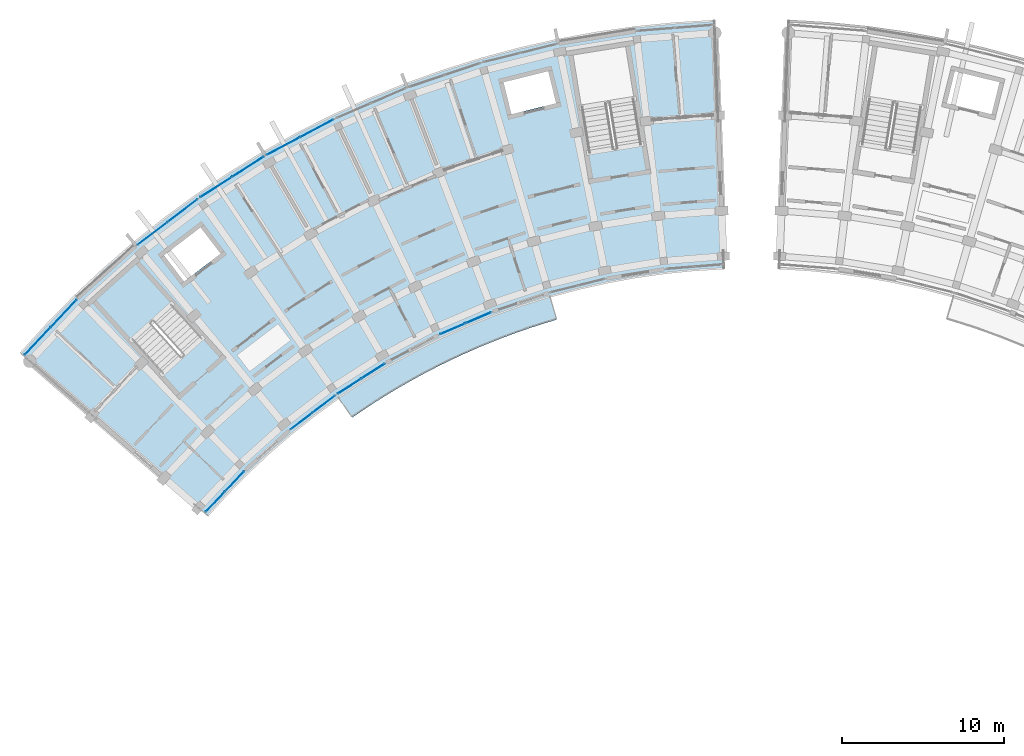
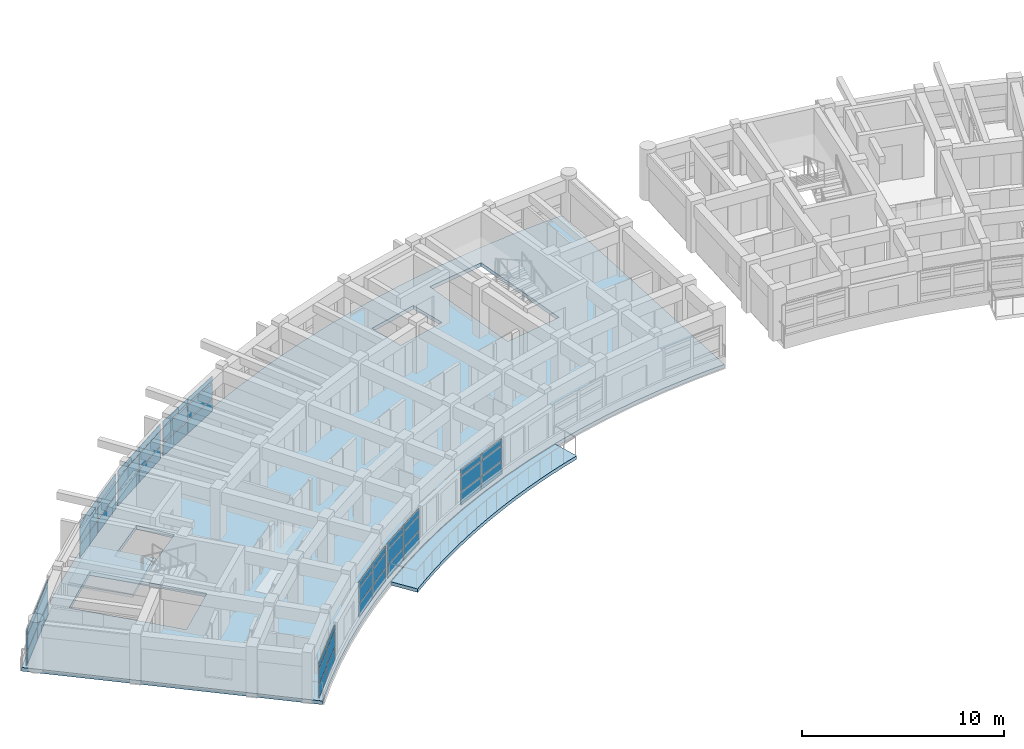
# One storey, part 20 of 56: 48 plates, 3 slabs, 9 elements without a shape of their own.
"""IFC4 building model written with IfcOpenShell, lengths in metres."""

from ifc_helpers import new_model, si_unit, direction, frame, origin, origin_2d, place, context, subcontext, project, spatial, polyline, rectangle, outline, extrude, material, layer, layer_set, type_object, element, aggregate, save


model = new_model("IFC4")

# Units and contexts
model_context = context("Model", 3, precision=1e-05, world=origin(), true_north=direction((0.0, 1.0)))
body_context = subcontext(model_context, "Body", "Model", "MODEL_VIEW")
ifc_project = project(units=[si_unit("LENGTHUNIT", "METRE"), si_unit("AREAUNIT", "SQUARE_METRE"), si_unit("VOLUMEUNIT", "CUBIC_METRE"), si_unit("PLANEANGLEUNIT", "RADIAN"), si_unit("MASSUNIT", "GRAM", prefix="KILO")], contexts=[model_context])

# Site, building, storey
site_placement = place(None, origin())
site = spatial("IfcSite", under=ifc_project, at=site_placement, CompositionType="ELEMENT")
building_placement = place(site_placement, origin())
building = spatial("IfcBuilding", under=site, at=building_placement, Name="Zimvara Arc Housing Community", CompositionType="ELEMENT")
storey_placement = place(building_placement, frame((0.0, 0.0, 11.199951171875)))
storey = spatial("IfcBuildingStorey", under=building, at=storey_placement, Name="L03", CompositionType="ELEMENT", Elevation=11.199951171875)

# Curtain wall, plates
ifc_material_1 = material(Name="Anodised Aluminium AW-6063", Category="aluminium")
curtain_wall_type_1 = type_object("IfcCurtainWallType", Name="CW-SYS-08", PredefinedType="USERDEFINED", material=ifc_material_1)
curtain_wall_1_placement = place(storey_placement, origin())
curtain_wall_1 = element("IfcCurtainWall", 1, at=curtain_wall_1_placement, inside=storey, type_object=curtain_wall_type_1, Name="cw:blkA:L03:in:b0", ObjectType="CURTAIN WALL", PredefinedType="USERDEFINED")
ifc_material_2 = material(Name="Pale-Gold Anodised Aluminium Spandrel Panel", Category="aluminium")
ifc_layer_1 = layer(ifc_material_2, 0.035888671875)
ifc_layer_set_1 = layer_set([ifc_layer_1], Name="Pale-Gold Anodised Aluminium Spandrel Panel")
plate_type_1 = type_object("IfcPlateType", Name="CWP-GLD-36", PredefinedType="CURTAIN_PANEL", material=ifc_layer_set_1)
plate_1_placement = place(storey_placement, frame((11.981689453125, 74.469482421875, 0.065185546875), z_axis=(0.0, 0.0, 1.0), x_axis=(0.686326805658, 0.727293280483, 0.0)))
plate_1 = element("IfcPlate", 2, at=plate_1_placement, type_object=plate_type_1, Name="CW08 panel 1.1", PredefinedType="CURTAIN_PANEL", context=body_context, shape_type="SweptSolid", body=[
    extrude(rectangle(XDim=1.664306640625, YDim=0.035888671875, at=origin_2d()), origin(), (0.0, 0.0, 1.0), 0.75244140625),
])
plate_2_placement = place(storey_placement, frame((11.981689453125, 74.469482421875, 0.88232421875), z_axis=(0.0, 0.0, 1.0), x_axis=(0.686326805658, 0.727293280483, 0.0)))
plate_2 = element("IfcPlate", 3, at=plate_2_placement, type_object=plate_type_1, Name="CW08 panel 1.2", PredefinedType="CURTAIN_PANEL", context=body_context, shape_type="SweptSolid", body=[
    extrude(rectangle(XDim=1.664306640625, YDim=0.035888671875, at=origin_2d()), origin(), (0.0, 0.0, 1.0), 0.885009765625),
])
plate_3_placement = place(storey_placement, frame((11.981689453125, 74.469482421875, 1.83251953125), z_axis=(0.0, 0.0, 1.0), x_axis=(0.686326805658, 0.727293280483, 0.0)))
plate_3 = element("IfcPlate", 4, at=plate_3_placement, type_object=plate_type_1, Name="CW08 panel 1.3", PredefinedType="CURTAIN_PANEL", context=body_context, shape_type="SweptSolid", body=[
    extrude(rectangle(XDim=1.664306640625, YDim=0.035888671875, at=origin_2d()), origin(), (0.0, 0.0, 1.0), 0.3525390625),
])
plate_4_placement = place(storey_placement, frame((13.168701171875, 75.727294921875, 0.065185546875), z_axis=(0.0, 0.0, 1.0), x_axis=(0.686326805658, 0.727293280483, 0.0)))
plate_4 = element("IfcPlate", 5, at=plate_4_placement, type_object=plate_type_1, Name="CW08 panel 2.1", PredefinedType="CURTAIN_PANEL", context=body_context, shape_type="SweptSolid", body=[
    extrude(rectangle(XDim=1.664306640625, YDim=0.035888671875, at=origin_2d()), origin(), (0.0, 0.0, 1.0), 0.75244140625),
])
plate_5_placement = place(storey_placement, frame((13.168701171875, 75.727294921875, 0.88232421875), z_axis=(0.0, 0.0, 1.0), x_axis=(0.686326805658, 0.727293280483, 0.0)))
plate_5 = element("IfcPlate", 6, at=plate_5_placement, type_object=plate_type_1, Name="CW08 panel 2.2", PredefinedType="CURTAIN_PANEL", context=body_context, shape_type="SweptSolid", body=[
    extrude(rectangle(XDim=1.664306640625, YDim=0.035888671875, at=origin_2d()), origin(), (0.0, 0.0, 1.0), 0.885009765625),
])
plate_6_placement = place(storey_placement, frame((13.168701171875, 75.727294921875, 1.83251953125), z_axis=(0.0, 0.0, 1.0), x_axis=(0.686326805658, 0.727293280483, 0.0)))
plate_6 = element("IfcPlate", 7, at=plate_6_placement, type_object=plate_type_1, Name="CW08 panel 2.3", PredefinedType="CURTAIN_PANEL", context=body_context, shape_type="SweptSolid", body=[
    extrude(rectangle(XDim=1.664306640625, YDim=0.035888671875, at=origin_2d()), origin(), (0.0, 0.0, 1.0), 0.3525390625),
])
aggregate(curtain_wall_1, [plate_1, plate_2, plate_3, plate_4, plate_5, plate_6])

ifc_material_3 = material(Name="Anodised Aluminium AW-6063", Category="aluminium")
curtain_wall_type_2 = type_object("IfcCurtainWallType", Name="CW-SYS-04", PredefinedType="USERDEFINED", material=ifc_material_3)
curtain_wall_2_placement = place(storey_placement, origin())
curtain_wall_2 = element("IfcCurtainWall", 8, at=curtain_wall_2_placement, inside=storey, type_object=curtain_wall_type_2, Name="cw:blkA:L03:in:b3", ObjectType="CURTAIN WALL", PredefinedType="USERDEFINED")
plate_7_placement = place(storey_placement, frame((20.23876953125, 81.58447265625, 0.065185546875), z_axis=(0.0, 0.0, 1.0), x_axis=(0.842264751752, 0.539064085203, 0.0)))
plate_7 = element("IfcPlate", 9, at=plate_7_placement, type_object=plate_type_1, Name="CW04 panel 1.1", PredefinedType="CURTAIN_PANEL", context=body_context, shape_type="SweptSolid", body=[
    extrude(rectangle(XDim=1.664306640625, YDim=0.035888671875, at=origin_2d()), origin(), (0.0, 0.0, 1.0), 0.75244140625),
])
plate_8_placement = place(storey_placement, frame((20.23876953125, 81.58447265625, 0.88232421875), z_axis=(0.0, 0.0, 1.0), x_axis=(0.842264751752, 0.539064085203, 0.0)))
plate_8 = element("IfcPlate", 10, at=plate_8_placement, type_object=plate_type_1, Name="CW04 panel 1.2", PredefinedType="CURTAIN_PANEL", context=body_context, shape_type="SweptSolid", body=[
    extrude(rectangle(XDim=1.664306640625, YDim=0.035888671875, at=origin_2d()), origin(), (0.0, 0.0, 1.0), 0.885009765625),
])
plate_9_placement = place(storey_placement, frame((20.23876953125, 81.58447265625, 1.83251953125), z_axis=(0.0, 0.0, 1.0), x_axis=(0.842264751752, 0.539064085203, 0.0)))
plate_9 = element("IfcPlate", 11, at=plate_9_placement, type_object=plate_type_1, Name="CW04 panel 1.3", PredefinedType="CURTAIN_PANEL", context=body_context, shape_type="SweptSolid", body=[
    extrude(rectangle(XDim=1.664306640625, YDim=0.035888671875, at=origin_2d()), origin(), (0.0, 0.0, 1.0), 0.3525390625),
])
plate_10_placement = place(storey_placement, frame((21.6953125, 82.5166015625, 0.065185546875), z_axis=(0.0, 0.0, 1.0), x_axis=(0.842264751752, 0.539064085203, 0.0)))
plate_10 = element("IfcPlate", 12, at=plate_10_placement, type_object=plate_type_1, Name="CW04 panel 2.1", PredefinedType="CURTAIN_PANEL", context=body_context, shape_type="SweptSolid", body=[
    extrude(rectangle(XDim=1.664306640625, YDim=0.035888671875, at=origin_2d()), origin(), (0.0, 0.0, 1.0), 0.75244140625),
])
plate_11_placement = place(storey_placement, frame((21.6953125, 82.5166015625, 0.88232421875), z_axis=(0.0, 0.0, 1.0), x_axis=(0.842264751752, 0.539064085203, 0.0)))
plate_11 = element("IfcPlate", 13, at=plate_11_placement, type_object=plate_type_1, Name="CW04 panel 2.2", PredefinedType="CURTAIN_PANEL", context=body_context, shape_type="SweptSolid", body=[
    extrude(rectangle(XDim=1.664306640625, YDim=0.035888671875, at=origin_2d()), origin(), (0.0, 0.0, 1.0), 0.885009765625),
])
plate_12_placement = place(storey_placement, frame((21.6953125, 82.5166015625, 1.83251953125), z_axis=(0.0, 0.0, 1.0), x_axis=(0.842264751752, 0.539064085203, 0.0)))
plate_12 = element("IfcPlate", 14, at=plate_12_placement, type_object=plate_type_1, Name="CW04 panel 2.3", PredefinedType="CURTAIN_PANEL", context=body_context, shape_type="SweptSolid", body=[
    extrude(rectangle(XDim=1.664306640625, YDim=0.035888671875, at=origin_2d()), origin(), (0.0, 0.0, 1.0), 0.3525390625),
])
aggregate(curtain_wall_2, [plate_7, plate_8, plate_9, plate_10, plate_11, plate_12])

ifc_material_4 = material(Name="Anodised Aluminium AW-6063", Category="aluminium")
curtain_wall_type_3 = type_object("IfcCurtainWallType", Name="CW-SYS-01", PredefinedType="USERDEFINED", material=ifc_material_4)
curtain_wall_3_placement = place(storey_placement, origin())
curtain_wall_3 = element("IfcCurtainWall", 15, at=curtain_wall_3_placement, inside=storey, type_object=curtain_wall_type_3, Name="cw:blkA:L03:out:b2", ObjectType="CURTAIN WALL", PredefinedType="USERDEFINED")
ifc_material_5 = material(Name="Solar Control Low-E Double Glazing", Category="glass")
ifc_layer_2 = layer(ifc_material_5, 0.02392578125)
ifc_layer_set_2 = layer_set([ifc_layer_2], Name="Solar Control Low-E Double Glazing")
plate_type_2 = type_object("IfcPlateType", Name="CWP-GLZ-24", PredefinedType="CURTAIN_PANEL", material=ifc_layer_set_2)
plate_13_placement = place(storey_placement, frame((8.118896484375, 90.9892578125, 0.065185546875), z_axis=(0.0, 0.0, 1.0), x_axis=(0.795473999177, 0.60598771987, 0.0)))
plate_13 = element("IfcPlate", 16, at=plate_13_placement, type_object=plate_type_2, Name="CW01 panel 1.1", PredefinedType="CURTAIN_PANEL", context=body_context, shape_type="SweptSolid", body=[
    extrude(rectangle(XDim=2.266845703125, YDim=0.02392578125, at=origin_2d()), origin(), (0.0, 0.0, 1.0), 0.75244140625),
])
plate_14_placement = place(storey_placement, frame((8.118896484375, 90.9892578125, 0.88232421875), z_axis=(0.0, 0.0, 1.0), x_axis=(0.795473999177, 0.60598771987, 0.0)))
plate_14 = element("IfcPlate", 17, at=plate_14_placement, type_object=plate_type_2, Name="CW01 panel 1.2", PredefinedType="CURTAIN_PANEL", context=body_context, shape_type="SweptSolid", body=[
    extrude(rectangle(XDim=2.266845703125, YDim=0.02392578125, at=origin_2d()), origin(), (0.0, 0.0, 1.0), 0.885009765625),
])
plate_15_placement = place(storey_placement, frame((8.118896484375, 90.9892578125, 1.83251953125), z_axis=(0.0, 0.0, 1.0), x_axis=(0.795473999177, 0.60598771987, 0.0)))
plate_15 = element("IfcPlate", 18, at=plate_15_placement, type_object=plate_type_2, Name="CW01 panel 1.3", PredefinedType="CURTAIN_PANEL", context=body_context, shape_type="SweptSolid", body=[
    extrude(rectangle(XDim=2.266845703125, YDim=0.02392578125, at=origin_2d()), origin(), (0.0, 0.0, 1.0), 0.3525390625),
])
plate_16_placement = place(storey_placement, frame((9.973876953125, 92.40234375, 0.065185546875), z_axis=(0.0, 0.0, 1.0), x_axis=(0.795473999177, 0.60598771987, 0.0)))
plate_16 = element("IfcPlate", 19, at=plate_16_placement, type_object=plate_type_2, Name="CW01 panel 2.1", PredefinedType="CURTAIN_PANEL", context=body_context, shape_type="SweptSolid", body=[
    extrude(rectangle(XDim=2.266845703125, YDim=0.02392578125, at=origin_2d()), origin(), (0.0, 0.0, 1.0), 0.75244140625),
])
plate_17_placement = place(storey_placement, frame((9.973876953125, 92.40234375, 0.88232421875), z_axis=(0.0, 0.0, 1.0), x_axis=(0.795473999177, 0.60598771987, 0.0)))
plate_17 = element("IfcPlate", 20, at=plate_17_placement, type_object=plate_type_2, Name="CW01 panel 2.2", PredefinedType="CURTAIN_PANEL", context=body_context, shape_type="SweptSolid", body=[
    extrude(rectangle(XDim=2.266845703125, YDim=0.02392578125, at=origin_2d()), origin(), (0.0, 0.0, 1.0), 0.885009765625),
])
plate_18_placement = place(storey_placement, frame((9.973876953125, 92.40234375, 1.83251953125), z_axis=(0.0, 0.0, 1.0), x_axis=(0.795473999177, 0.60598771987, 0.0)))
plate_18 = element("IfcPlate", 21, at=plate_18_placement, type_object=plate_type_2, Name="CW01 panel 2.3", PredefinedType="CURTAIN_PANEL", context=body_context, shape_type="SweptSolid", body=[
    extrude(rectangle(XDim=2.266845703125, YDim=0.02392578125, at=origin_2d()), origin(), (0.0, 0.0, 1.0), 0.3525390625),
])
aggregate(curtain_wall_3, [plate_13, plate_14, plate_15, plate_16, plate_17, plate_18])

ifc_material_6 = material(Name="Anodised Aluminium AW-6063", Category="aluminium")
curtain_wall_type_4 = type_object("IfcCurtainWallType", Name="CW-SYS-05", PredefinedType="USERDEFINED", material=ifc_material_6)
curtain_wall_4_placement = place(storey_placement, origin())
curtain_wall_4 = element("IfcCurtainWall", 22, at=curtain_wall_4_placement, inside=storey, type_object=curtain_wall_type_4, Name="cw:blkA:L03:out:b4", ObjectType="CURTAIN WALL", PredefinedType="USERDEFINED")
plate_19_placement = place(storey_placement, frame((16.1708984375, 96.36865234375, 0.065185546875), z_axis=(0.0, 0.0, 1.0), x_axis=(0.883438614651, 0.468546917761, 0.0)))
plate_19 = element("IfcPlate", 23, at=plate_19_placement, type_object=plate_type_2, Name="CW05 panel 1.1", PredefinedType="CURTAIN_PANEL", context=body_context, shape_type="SweptSolid", body=[
    extrude(rectangle(XDim=2.266845703125, YDim=0.02392578125, at=origin_2d()), origin(), (0.0, 0.0, 1.0), 0.75244140625),
])
plate_20_placement = place(storey_placement, frame((16.1708984375, 96.36865234375, 0.88232421875), z_axis=(0.0, 0.0, 1.0), x_axis=(0.883438614651, 0.468546917761, 0.0)))
plate_20 = element("IfcPlate", 24, at=plate_20_placement, type_object=plate_type_2, Name="CW05 panel 1.2", PredefinedType="CURTAIN_PANEL", context=body_context, shape_type="SweptSolid", body=[
    extrude(rectangle(XDim=2.266845703125, YDim=0.02392578125, at=origin_2d()), origin(), (0.0, 0.0, 1.0), 0.885009765625),
])
plate_21_placement = place(storey_placement, frame((16.1708984375, 96.36865234375, 1.83251953125), z_axis=(0.0, 0.0, 1.0), x_axis=(0.883438614651, 0.468546917761, 0.0)))
plate_21 = element("IfcPlate", 25, at=plate_21_placement, type_object=plate_type_2, Name="CW05 panel 1.3", PredefinedType="CURTAIN_PANEL", context=body_context, shape_type="SweptSolid", body=[
    extrude(rectangle(XDim=2.266845703125, YDim=0.02392578125, at=origin_2d()), origin(), (0.0, 0.0, 1.0), 0.3525390625),
])
plate_22_placement = place(storey_placement, frame((18.23095703125, 97.461181640625, 0.065185546875), z_axis=(0.0, 0.0, 1.0), x_axis=(0.883438614651, 0.468546917761, 0.0)))
plate_22 = element("IfcPlate", 26, at=plate_22_placement, type_object=plate_type_2, Name="CW05 panel 2.1", PredefinedType="CURTAIN_PANEL", context=body_context, shape_type="SweptSolid", body=[
    extrude(rectangle(XDim=2.266845703125, YDim=0.02392578125, at=origin_2d()), origin(), (0.0, 0.0, 1.0), 0.75244140625),
])
plate_23_placement = place(storey_placement, frame((18.23095703125, 97.461181640625, 0.88232421875), z_axis=(0.0, 0.0, 1.0), x_axis=(0.883438614651, 0.468546917761, 0.0)))
plate_23 = element("IfcPlate", 27, at=plate_23_placement, type_object=plate_type_2, Name="CW05 panel 2.2", PredefinedType="CURTAIN_PANEL", context=body_context, shape_type="SweptSolid", body=[
    extrude(rectangle(XDim=2.266845703125, YDim=0.02392578125, at=origin_2d()), origin(), (0.0, 0.0, 1.0), 0.885009765625),
])
plate_24_placement = place(storey_placement, frame((18.23095703125, 97.461181640625, 1.83251953125), z_axis=(0.0, 0.0, 1.0), x_axis=(0.883438614651, 0.468546917761, 0.0)))
plate_24 = element("IfcPlate", 28, at=plate_24_placement, type_object=plate_type_2, Name="CW05 panel 2.3", PredefinedType="CURTAIN_PANEL", context=body_context, shape_type="SweptSolid", body=[
    extrude(rectangle(XDim=2.266845703125, YDim=0.02392578125, at=origin_2d()), origin(), (0.0, 0.0, 1.0), 0.3525390625),
])
aggregate(curtain_wall_4, [plate_19, plate_20, plate_21, plate_22, plate_23, plate_24])

ifc_material_7 = material(Name="Anodised Aluminium AW-6063", Category="aluminium")
curtain_wall_type_5 = type_object("IfcCurtainWallType", Name="CW-SYS-02", PredefinedType="USERDEFINED", material=ifc_material_7)
curtain_wall_5_placement = place(storey_placement, origin())
curtain_wall_5 = element("IfcCurtainWall", 29, at=curtain_wall_5_placement, inside=storey, type_object=curtain_wall_type_5, Name="cw:blkA:L03:in:b2", ObjectType="CURTAIN WALL", PredefinedType="USERDEFINED")
ifc_material_8 = material(Name="Solar Control Low-E Double Glazing", Category="glass")
ifc_layer_3 = layer(ifc_material_8, 0.028076171875)
ifc_layer_set_3 = layer_set([ifc_layer_3], Name="Solar Control Low-E Double Glazing")
plate_type_3 = type_object("IfcPlateType", Name="CWP-GLZ-28", PredefinedType="CURTAIN_PANEL", material=ifc_layer_set_3)
plate_25_placement = place(storey_placement, frame((17.295654296875, 79.4404296875, 0.065185546875), z_axis=(0.0, 0.0, 1.0), x_axis=(0.795473543119, 0.605988318533, 0.0)))
plate_25 = element("IfcPlate", 30, at=plate_25_placement, type_object=plate_type_3, Name="CW02 panel 1.1", PredefinedType="CURTAIN_PANEL", context=body_context, shape_type="SweptSolid", body=[
    extrude(rectangle(XDim=1.664306640625, YDim=0.028076171875, at=origin_2d()), origin(), (0.0, 0.0, 1.0), 0.75244140625),
])
plate_26_placement = place(storey_placement, frame((17.295654296875, 79.4404296875, 0.88232421875), z_axis=(0.0, 0.0, 1.0), x_axis=(0.795473543119, 0.605988318533, 0.0)))
plate_26 = element("IfcPlate", 31, at=plate_26_placement, type_object=plate_type_3, Name="CW02 panel 1.2", PredefinedType="CURTAIN_PANEL", context=body_context, shape_type="SweptSolid", body=[
    extrude(rectangle(XDim=1.664306640625, YDim=0.028076171875, at=origin_2d()), origin(), (0.0, 0.0, 1.0), 0.885009765625),
])
plate_27_placement = place(storey_placement, frame((17.295654296875, 79.4404296875, 1.83251953125), z_axis=(0.0, 0.0, 1.0), x_axis=(0.795473543119, 0.605988318533, 0.0)))
plate_27 = element("IfcPlate", 32, at=plate_27_placement, type_object=plate_type_3, Name="CW02 panel 1.3", PredefinedType="CURTAIN_PANEL", context=body_context, shape_type="SweptSolid", body=[
    extrude(rectangle(XDim=1.664306640625, YDim=0.028076171875, at=origin_2d()), origin(), (0.0, 0.0, 1.0), 0.3525390625),
])
plate_28_placement = place(storey_placement, frame((18.671142578125, 80.48828125, 0.065185546875), z_axis=(0.0, 0.0, 1.0), x_axis=(0.795473543119, 0.605988318533, 0.0)))
plate_28 = element("IfcPlate", 33, at=plate_28_placement, type_object=plate_type_3, Name="CW02 panel 2.1", PredefinedType="CURTAIN_PANEL", context=body_context, shape_type="SweptSolid", body=[
    extrude(rectangle(XDim=1.664306640625, YDim=0.028076171875, at=origin_2d()), origin(), (0.0, 0.0, 1.0), 0.75244140625),
])
plate_29_placement = place(storey_placement, frame((18.671142578125, 80.48828125, 0.88232421875), z_axis=(0.0, 0.0, 1.0), x_axis=(0.795473543119, 0.605988318533, 0.0)))
plate_29 = element("IfcPlate", 34, at=plate_29_placement, type_object=plate_type_3, Name="CW02 panel 2.2", PredefinedType="CURTAIN_PANEL", context=body_context, shape_type="SweptSolid", body=[
    extrude(rectangle(XDim=1.664306640625, YDim=0.028076171875, at=origin_2d()), origin(), (0.0, 0.0, 1.0), 0.885009765625),
])
plate_30_placement = place(storey_placement, frame((18.671142578125, 80.48828125, 1.83251953125), z_axis=(0.0, 0.0, 1.0), x_axis=(0.795473543119, 0.605988318533, 0.0)))
plate_30 = element("IfcPlate", 35, at=plate_30_placement, type_object=plate_type_3, Name="CW02 panel 2.3", PredefinedType="CURTAIN_PANEL", context=body_context, shape_type="SweptSolid", body=[
    extrude(rectangle(XDim=1.664306640625, YDim=0.028076171875, at=origin_2d()), origin(), (0.0, 0.0, 1.0), 0.3525390625),
])
aggregate(curtain_wall_5, [plate_25, plate_26, plate_27, plate_28, plate_29, plate_30])

ifc_material_9 = material(Name="Anodised Aluminium AW-6063", Category="aluminium")
curtain_wall_type_6 = type_object("IfcCurtainWallType", Name="CW-SYS-07", PredefinedType="USERDEFINED", material=ifc_material_9)
curtain_wall_6_placement = place(storey_placement, origin())
curtain_wall_6 = element("IfcCurtainWall", 36, at=curtain_wall_6_placement, inside=storey, type_object=curtain_wall_type_6, Name="cw:blkA:L03:out:b0", ObjectType="CURTAIN WALL", PredefinedType="USERDEFINED")
ifc_material_10 = material(Name="Acoustic Laminated Solar Glazing", Category="glass")
ifc_layer_4 = layer(ifc_material_10, 0.031982421875)
ifc_layer_set_4 = layer_set([ifc_layer_4], Name="Acoustic Laminated Solar Glazing")
plate_type_4 = type_object("IfcPlateType", Name="CWP-GLZ-32", PredefinedType="CURTAIN_PANEL", material=ifc_layer_set_4)
plate_31_placement = place(storey_placement, frame((1.049072265625, 84.3720703125, 0.065185546875), z_axis=(0.0, 0.0, 1.0), x_axis=(0.686326416495, 0.727293647725, 0.0)))
plate_31 = element("IfcPlate", 37, at=plate_31_placement, type_object=plate_type_4, Name="CW07 panel 1.1", PredefinedType="CURTAIN_PANEL", context=body_context, shape_type="SweptSolid", body=[
    extrude(rectangle(XDim=2.266845703125, YDim=0.031982421875, at=origin_2d()), origin(), (0.0, 0.0, 1.0), 0.75244140625),
])
plate_32_placement = place(storey_placement, frame((1.049072265625, 84.3720703125, 0.88232421875), z_axis=(0.0, 0.0, 1.0), x_axis=(0.686326416495, 0.727293647725, 0.0)))
plate_32 = element("IfcPlate", 38, at=plate_32_placement, type_object=plate_type_4, Name="CW07 panel 1.2", PredefinedType="CURTAIN_PANEL", context=body_context, shape_type="SweptSolid", body=[
    extrude(rectangle(XDim=2.266845703125, YDim=0.031982421875, at=origin_2d()), origin(), (0.0, 0.0, 1.0), 0.885009765625),
])
plate_33_placement = place(storey_placement, frame((1.049072265625, 84.3720703125, 1.83251953125), z_axis=(0.0, 0.0, 1.0), x_axis=(0.686326416495, 0.727293647725, 0.0)))
plate_33 = element("IfcPlate", 39, at=plate_33_placement, type_object=plate_type_4, Name="CW07 panel 1.3", PredefinedType="CURTAIN_PANEL", context=body_context, shape_type="SweptSolid", body=[
    extrude(rectangle(XDim=2.266845703125, YDim=0.031982421875, at=origin_2d()), origin(), (0.0, 0.0, 1.0), 0.3525390625),
])
plate_34_placement = place(storey_placement, frame((2.649658203125, 86.068115234375, 0.065185546875), z_axis=(0.0, 0.0, 1.0), x_axis=(0.686326416495, 0.727293647725, 0.0)))
plate_34 = element("IfcPlate", 40, at=plate_34_placement, type_object=plate_type_4, Name="CW07 panel 2.1", PredefinedType="CURTAIN_PANEL", context=body_context, shape_type="SweptSolid", body=[
    extrude(rectangle(XDim=2.266845703125, YDim=0.031982421875, at=origin_2d()), origin(), (0.0, 0.0, 1.0), 0.75244140625),
])
plate_35_placement = place(storey_placement, frame((2.649658203125, 86.068115234375, 0.88232421875), z_axis=(0.0, 0.0, 1.0), x_axis=(0.686326416495, 0.727293647725, 0.0)))
plate_35 = element("IfcPlate", 41, at=plate_35_placement, type_object=plate_type_4, Name="CW07 panel 2.2", PredefinedType="CURTAIN_PANEL", context=body_context, shape_type="SweptSolid", body=[
    extrude(rectangle(XDim=2.266845703125, YDim=0.031982421875, at=origin_2d()), origin(), (0.0, 0.0, 1.0), 0.885009765625),
])
plate_36_placement = place(storey_placement, frame((2.649658203125, 86.068115234375, 1.83251953125), z_axis=(0.0, 0.0, 1.0), x_axis=(0.686326416495, 0.727293647725, 0.0)))
plate_36 = element("IfcPlate", 42, at=plate_36_placement, type_object=plate_type_4, Name="CW07 panel 2.3", PredefinedType="CURTAIN_PANEL", context=body_context, shape_type="SweptSolid", body=[
    extrude(rectangle(XDim=2.266845703125, YDim=0.031982421875, at=origin_2d()), origin(), (0.0, 0.0, 1.0), 0.3525390625),
])
aggregate(curtain_wall_6, [plate_31, plate_32, plate_33, plate_34, plate_35, plate_36])

ifc_material_11 = material(Name="Anodised Aluminium AW-6063", Category="aluminium")
curtain_wall_type_7 = type_object("IfcCurtainWallType", Name="CW-SYS-03", PredefinedType="USERDEFINED", material=ifc_material_11)
curtain_wall_7_placement = place(storey_placement, origin())
curtain_wall_7 = element("IfcCurtainWall", 43, at=curtain_wall_7_placement, inside=storey, type_object=curtain_wall_type_7, Name="cw:blkA:L03:out:b3", ObjectType="CURTAIN WALL", PredefinedType="USERDEFINED")
plate_37_placement = place(storey_placement, frame((12.034912109375, 93.843505859375, 0.065185546875), z_axis=(0.0, 0.0, 1.0), x_axis=(0.842264410931, 0.539064617721, 0.0)))
plate_37 = element("IfcPlate", 44, at=plate_37_placement, type_object=plate_type_4, Name="CW03 panel 1.1", PredefinedType="CURTAIN_PANEL", context=body_context, shape_type="SweptSolid", body=[
    extrude(rectangle(XDim=2.266845703125, YDim=0.031982421875, at=origin_2d()), origin(), (0.0, 0.0, 1.0), 0.75244140625),
])
plate_38_placement = place(storey_placement, frame((12.034912109375, 93.843505859375, 0.88232421875), z_axis=(0.0, 0.0, 1.0), x_axis=(0.842264410931, 0.539064617721, 0.0)))
plate_38 = element("IfcPlate", 45, at=plate_38_placement, type_object=plate_type_4, Name="CW03 panel 1.2", PredefinedType="CURTAIN_PANEL", context=body_context, shape_type="SweptSolid", body=[
    extrude(rectangle(XDim=2.266845703125, YDim=0.031982421875, at=origin_2d()), origin(), (0.0, 0.0, 1.0), 0.885009765625),
])
plate_39_placement = place(storey_placement, frame((12.034912109375, 93.843505859375, 1.83251953125), z_axis=(0.0, 0.0, 1.0), x_axis=(0.842264410931, 0.539064617721, 0.0)))
plate_39 = element("IfcPlate", 46, at=plate_39_placement, type_object=plate_type_4, Name="CW03 panel 1.3", PredefinedType="CURTAIN_PANEL", context=body_context, shape_type="SweptSolid", body=[
    extrude(rectangle(XDim=2.266845703125, YDim=0.031982421875, at=origin_2d()), origin(), (0.0, 0.0, 1.0), 0.3525390625),
])
plate_40_placement = place(storey_placement, frame((13.9990234375, 95.1005859375, 0.065185546875), z_axis=(0.0, 0.0, 1.0), x_axis=(0.842264410931, 0.539064617721, 0.0)))
plate_40 = element("IfcPlate", 47, at=plate_40_placement, type_object=plate_type_4, Name="CW03 panel 2.1", PredefinedType="CURTAIN_PANEL", context=body_context, shape_type="SweptSolid", body=[
    extrude(rectangle(XDim=2.266845703125, YDim=0.031982421875, at=origin_2d()), origin(), (0.0, 0.0, 1.0), 0.75244140625),
])
plate_41_placement = place(storey_placement, frame((13.9990234375, 95.1005859375, 0.88232421875), z_axis=(0.0, 0.0, 1.0), x_axis=(0.842264410931, 0.539064617721, 0.0)))
plate_41 = element("IfcPlate", 48, at=plate_41_placement, type_object=plate_type_4, Name="CW03 panel 2.2", PredefinedType="CURTAIN_PANEL", context=body_context, shape_type="SweptSolid", body=[
    extrude(rectangle(XDim=2.266845703125, YDim=0.031982421875, at=origin_2d()), origin(), (0.0, 0.0, 1.0), 0.885009765625),
])
plate_42_placement = place(storey_placement, frame((13.9990234375, 95.1005859375, 1.83251953125), z_axis=(0.0, 0.0, 1.0), x_axis=(0.842264410931, 0.539064617721, 0.0)))
plate_42 = element("IfcPlate", 49, at=plate_42_placement, type_object=plate_type_4, Name="CW03 panel 2.3", PredefinedType="CURTAIN_PANEL", context=body_context, shape_type="SweptSolid", body=[
    extrude(rectangle(XDim=2.266845703125, YDim=0.031982421875, at=origin_2d()), origin(), (0.0, 0.0, 1.0), 0.3525390625),
])
aggregate(curtain_wall_7, [plate_37, plate_38, plate_39, plate_40, plate_41, plate_42])

curtain_wall_8_placement = place(storey_placement, origin())
curtain_wall_8 = element("IfcCurtainWall", 50, at=curtain_wall_8_placement, inside=storey, type_object=curtain_wall_type_6, Name="cw:blkA:L03:in:b5", ObjectType="CURTAIN WALL", PredefinedType="USERDEFINED")
plate_43_placement = place(storey_placement, frame((26.599609375, 85.11767578125, 0.065185546875), z_axis=(0.0, 0.0, 1.0), x_axis=(0.918722178415, 0.394904493375, 0.0)))
plate_43 = element("IfcPlate", 51, at=plate_43_placement, type_object=plate_type_4, Name="CW07 panel 1.1", PredefinedType="CURTAIN_PANEL", context=body_context, shape_type="SweptSolid", body=[
    extrude(rectangle(XDim=1.664306640625, YDim=0.031982421875, at=origin_2d()), origin(), (0.0, 0.0, 1.0), 0.75244140625),
])
plate_44_placement = place(storey_placement, frame((26.599609375, 85.11767578125, 0.88232421875), z_axis=(0.0, 0.0, 1.0), x_axis=(0.918722178415, 0.394904493375, 0.0)))
plate_44 = element("IfcPlate", 52, at=plate_44_placement, type_object=plate_type_4, Name="CW07 panel 1.2", PredefinedType="CURTAIN_PANEL", context=body_context, shape_type="SweptSolid", body=[
    extrude(rectangle(XDim=1.664306640625, YDim=0.031982421875, at=origin_2d()), origin(), (0.0, 0.0, 1.0), 0.885009765625),
])
plate_45_placement = place(storey_placement, frame((26.599609375, 85.11767578125, 1.83251953125), z_axis=(0.0, 0.0, 1.0), x_axis=(0.918722178415, 0.394904493375, 0.0)))
plate_45 = element("IfcPlate", 53, at=plate_45_placement, type_object=plate_type_4, Name="CW07 panel 1.3", PredefinedType="CURTAIN_PANEL", context=body_context, shape_type="SweptSolid", body=[
    extrude(rectangle(XDim=1.664306640625, YDim=0.031982421875, at=origin_2d()), origin(), (0.0, 0.0, 1.0), 0.3525390625),
])
plate_46_placement = place(storey_placement, frame((28.1884765625, 85.80078125, 0.065185546875), z_axis=(0.0, 0.0, 1.0), x_axis=(0.918722178415, 0.394904493375, 0.0)))
plate_46 = element("IfcPlate", 54, at=plate_46_placement, type_object=plate_type_4, Name="CW07 panel 2.1", PredefinedType="CURTAIN_PANEL", context=body_context, shape_type="SweptSolid", body=[
    extrude(rectangle(XDim=1.664306640625, YDim=0.031982421875, at=origin_2d()), origin(), (0.0, 0.0, 1.0), 0.75244140625),
])
plate_47_placement = place(storey_placement, frame((28.1884765625, 85.80078125, 0.88232421875), z_axis=(0.0, 0.0, 1.0), x_axis=(0.918722178415, 0.394904493375, 0.0)))
plate_47 = element("IfcPlate", 55, at=plate_47_placement, type_object=plate_type_4, Name="CW07 panel 2.2", PredefinedType="CURTAIN_PANEL", context=body_context, shape_type="SweptSolid", body=[
    extrude(rectangle(XDim=1.664306640625, YDim=0.031982421875, at=origin_2d()), origin(), (0.0, 0.0, 1.0), 0.885009765625),
])
plate_48_placement = place(storey_placement, frame((28.1884765625, 85.80078125, 1.83251953125), z_axis=(0.0, 0.0, 1.0), x_axis=(0.918722178415, 0.394904493375, 0.0)))
plate_48 = element("IfcPlate", 56, at=plate_48_placement, type_object=plate_type_4, Name="CW07 panel 2.3", PredefinedType="CURTAIN_PANEL", context=body_context, shape_type="SweptSolid", body=[
    extrude(rectangle(XDim=1.664306640625, YDim=0.031982421875, at=origin_2d()), origin(), (0.0, 0.0, 1.0), 0.3525390625),
])
aggregate(curtain_wall_8, [plate_43, plate_44, plate_45, plate_46, plate_47, plate_48])

# Stair, slab
ifc_material_12 = material(Name="Concrete C35/45", Category="concrete")
stair_type = type_object("IfcStairType", Name="STR-DL-312-310", PredefinedType="HALF_TURN_STAIR", material=ifc_material_12)
stair_placement = place(storey_placement, origin())
stair = element("IfcStair", 57, at=stair_placement, inside=storey, type_object=stair_type, Name="L03 Block A Exit Stair 1", PredefinedType="HALF_TURN_STAIR")
ifc_material_13 = material(Name="Concrete C35/45", Category="concrete")
ifc_layer_5 = layer(ifc_material_13, 0.199951171875)
ifc_layer_set_5 = layer_set([ifc_layer_5], Name="Concrete C35/45")
slab_type_1 = type_object("IfcSlabType", Name="SLB-STAIR-LND-200", PredefinedType="LANDING", material=ifc_layer_set_5)
slab_1_placement = place(storey_placement, frame((0.0, 0.0, 1.35009765625)))
slab_1 = element("IfcSlab", 58, at=slab_1_placement, type_object=slab_type_1, Name="ST-A1 landing 1", PredefinedType="LANDING", context=body_context, shape_type="SweptSolid", body=[
    extrude(outline(polyline([(9.3486328125, 86.634521484375), (7.09326171875, 89.14111328125), (4.595458984375, 86.8935546875), (6.850830078125, 84.386962890625), (9.3486328125, 86.634521484375)])), origin(), (0.0, 0.0, 1.0), 0.199951171875),
])
aggregate(stair, [slab_1])

# Slabs
ifc_material_14 = material(Name="Concrete C35/45", Category="concrete")
ifc_layer_6 = layer(ifc_material_14, 0.2099609375)
ifc_layer_set_6 = layer_set([ifc_layer_6], Name="Concrete C35/45")
slab_type_2 = type_object("IfcSlabType", Name="SLB-TER-210", PredefinedType="FLOOR", material=ifc_layer_set_6)
slab_2_placement = place(storey_placement, frame((0.0, 0.0, -0.2099609375)))
element("IfcSlab", 59, at=slab_2_placement, inside=storey, type_object=slab_type_2, Name="slab:blkA:L03:bal_in", PredefinedType="FLOOR", context=body_context, shape_type="SweptSolid", body=[
    extrude(outline(polyline([(32.59130859375, 87.099609375), (30.862548828125, 86.557373046875), (29.156982421875, 85.945068359375), (27.47802734375, 85.263671875), (25.828369140625, 84.514404296875), (24.210693359375, 83.6982421875), (22.62744140625, 82.816650390625), (21.081787109375, 81.871337890625), (19.57568359375, 80.863525390625), (20.418212890625, 79.65869140625), (21.14111328125, 80.1533203125), (21.8740234375, 80.633056640625), (22.61669921875, 81.097900390625), (23.36865234375, 81.547119140625), (24.129638671875, 81.981201171875), (24.8994140625, 82.3994140625), (25.677490234375, 82.802001953125), (26.463623046875, 83.188720703125), (27.25732421875, 83.55908203125), (28.05859375, 83.9130859375), (28.866943359375, 84.2509765625), (29.681884765625, 84.572021484375), (30.50341796875, 84.87646484375), (31.330810546875, 85.1640625), (32.1640625, 85.4345703125), (33.00244140625, 85.688232421875), (32.59130859375, 87.099609375)])), origin(), (0.0, 0.0, 1.0), 0.2099609375),
])
ifc_material_15 = material(Name="Concrete C35/45", Category="concrete")
ifc_layer_7 = layer(ifc_material_15, 0.22412109375)
ifc_layer_set_7 = layer_set([ifc_layer_7], Name="Concrete C35/45")
slab_type_3 = type_object("IfcSlabType", Name="SLB-VAR-04", PredefinedType="FLOOR", material=ifc_layer_set_7)
slab_3_placement = place(storey_placement, frame((0.0, 0.0, -0.223876953125)))
element("IfcSlab", 60, at=slab_3_placement, inside=storey, type_object=slab_type_3, Name="slab:blkA:L03:main", PredefinedType="FLOOR", context=body_context, shape_type="SweptSolid", body=[
    extrude(outline(polyline([(11.490966796875, 73.62890625), (12.708251953125, 74.972900390625), (13.979248046875, 76.265869140625), (15.302001953125, 77.506103515625), (16.674560546875, 78.69091796875), (18.093994140625, 79.819091796875), (19.55859375, 80.88818359375), (21.0654296875, 81.896484375), (22.6123046875, 82.842529296875), (24.196533203125, 83.724609375), (25.8154296875, 84.541259765625), (27.46630859375, 85.291259765625), (29.146240234375, 85.97314453125), (30.852783203125, 86.5859375), (32.5830078125, 87.12841796875), (34.333984375, 87.599853515625), (36.1025390625, 87.999267578125), (37.885986328125, 88.326416015625), (39.681396484375, 88.580322265625), (41.485595703125, 88.7607421875), (43.295654296875, 88.8671875), (42.712158203125, 104.05615234375), (40.282470703125, 103.9130859375), (37.860595703125, 103.6708984375), (35.450439453125, 103.330078125), (33.056640625, 102.89111328125), (30.682373046875, 102.354736328125), (28.332275390625, 101.721923828125), (26.009765625, 100.99365234375), (23.718994140625, 100.171142578125), (21.463623046875, 99.255859375), (19.247802734375, 98.249267578125), (17.07470703125, 97.15283203125), (14.947998046875, 95.96875), (12.871826171875, 94.698974609375), (10.848876953125, 93.34521484375), (8.883056640625, 91.91015625), (6.9775390625, 90.39599609375), (5.13525390625, 88.805419921875), (3.359619140625, 87.140869140625), (1.6533203125, 85.405029296875), (0.019287109375, 83.60107421875), (11.490966796875, 73.62890625)]), holes=[polyline([(8.73193359375, 82.356201171875), (4.65185546875, 86.890625), (7.090087890625, 89.08447265625), (11.17041015625, 84.550048828125), (8.73193359375, 82.356201171875)]), polyline([(34.9853515625, 95.960205078125), (34.008056640625, 101.9814453125), (37.24560546875, 102.507080078125), (38.222900390625, 96.48583984375), (34.9853515625, 95.960205078125)]), polyline([(10.05615234375, 88.02685546875), (8.820068359375, 89.649658203125), (11.0791015625, 91.37060546875), (12.3154296875, 89.747802734375), (10.05615234375, 88.02685546875)]), polyline([(30.216796875, 98.324951171875), (29.726806640625, 100.30517578125), (32.483642578125, 100.9873046875), (32.9736328125, 99.007080078125), (30.216796875, 98.324951171875)])]), origin(), (0.0, 0.0, 1.0), 0.223876953125),
])

save(model, "model.ifc")
